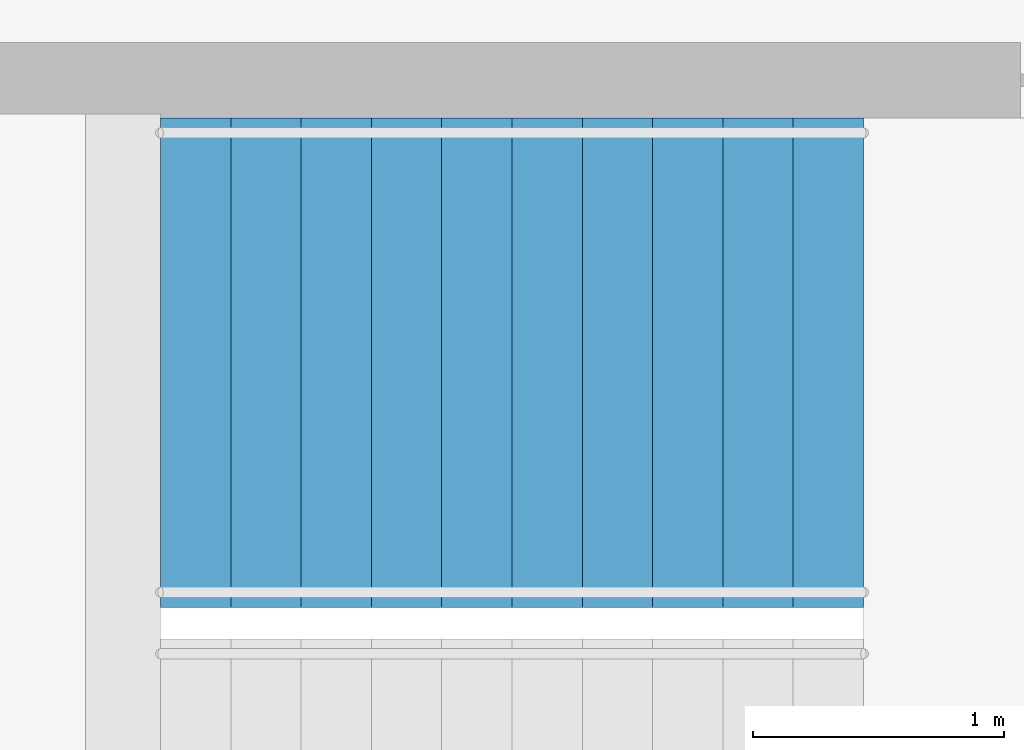
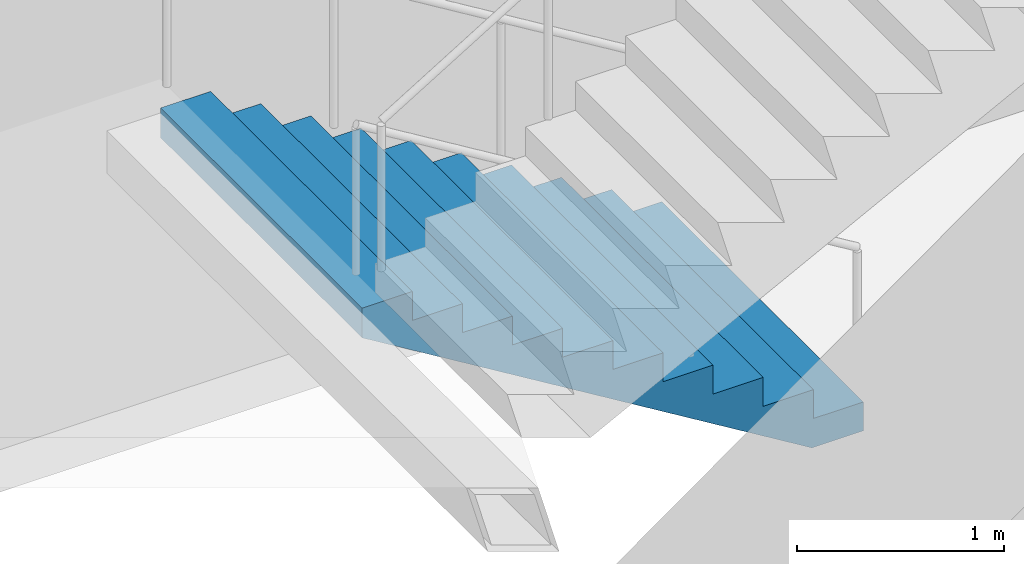
# One storey, part 21 of 22: 1 stair flight, 1 element without a shape of its own.
"""IFC4 building model written with IfcOpenShell, lengths in metres."""

from ifc_helpers import new_model, si_unit, direction, frame, origin, place, context, subcontext, project, spatial, triangles, material, type_object, element, aggregate, save


model = new_model("IFC4")

# Units and contexts
model_context = context("Model", 3, precision=1e-05, world=origin(), true_north=direction((0.0, 1.0)))
body_context = subcontext(model_context, "Body", "Model", "MODEL_VIEW")
ifc_project = project(units=[si_unit("LENGTHUNIT", "METRE"), si_unit("AREAUNIT", "SQUARE_METRE"), si_unit("VOLUMEUNIT", "CUBIC_METRE"), si_unit("PLANEANGLEUNIT", "RADIAN"), si_unit("MASSUNIT", "GRAM", prefix="KILO")], contexts=[model_context])

# Site, building, storey
site_placement = place(None, origin())
site = spatial("IfcSite", under=ifc_project, at=site_placement, CompositionType="ELEMENT")
building_placement = place(site_placement, origin())
building = spatial("IfcBuilding", under=site, at=building_placement, Name="Orbita Commons", CompositionType="ELEMENT")
storey_placement = place(building_placement, frame((0.0, 0.0, 156.10009765625)))
storey = spatial("IfcBuildingStorey", under=building, at=storey_placement, Name="L38", CompositionType="ELEMENT", Elevation=156.10009765625)

# Stair, stair flight
ifc_material_1 = material(Name="Precast concrete C40/50", Category="concrete")
stair_type = type_object("IfcStairType", Name="Exit stair S2 2 flights 11 risers 170", PredefinedType="HALF_TURN_STAIR", material=ifc_material_1)
stair_placement = place(storey_placement, origin())
stair = element("IfcStair", 1, at=stair_placement, inside=storey, type_object=stair_type, Name="Exit stair S2 L38", PredefinedType="HALF_TURN_STAIR")
ifc_material_2 = material(Name="Precast concrete C40/50", Category="concrete")
stair_flight_type = type_object("IfcStairFlightType", Name="Stair flight 11 risers 170 x 280", PredefinedType="STRAIGHT", material=ifc_material_2)
stair_flight_placement = place(storey_placement, frame((63.550048828125, 29.27490234375, 0.0), z_axis=(0.0, 0.0, 1.0), x_axis=(-1.0, 0.0, 0.0)))
stair_flight = element("IfcStairFlight", 2, at=stair_flight_placement, type_object=stair_flight_type, Name="S2 flight 1", NumberOfRisers=11, NumberOfTreads=10, PredefinedType="STRAIGHT", RiserHeight=0.170454545, TreadLength=0.28, context=body_context, shape_type="Tessellation", body=[
    triangles([(0.0, 0.974976, 0.0), (0.0, 0.974976, 0.021307), (0.0, 0.81248, 0.021307), (0.0, 0.81248, 0.0), (0.0, 0.649984, 0.021307), (0.0, 0.649984, 0.0), (0.0, 0.487488, 0.021307), (0.0, 0.487488, 0.0), (0.0, 0.324992, 0.021307), (0.0, 0.324992, 0.0), (0.0, 0.162496, 0.021307), (0.0, 0.162496, 0.0), (0.0, 0.0, 0.021307), (0.0, 0.0, 0.0), (0.0, -0.162496, 0.021307), (0.0, -0.162496, 0.0), (0.0, -0.324992, 0.021307), (0.0, -0.324992, 0.0), (0.0, -0.487488, 0.021307), (0.0, -0.487488, 0.0), (0.0, -0.649984, 0.021307), (0.0, -0.649984, 0.0), (0.0, -0.81248, 0.021307), (0.0, -0.81248, 0.0), (0.0, -0.974976, 0.021307), (0.0, -0.974976, 0.0), (0.0, 0.974976, 0.042614), (0.0, 0.81248, 0.042614), (0.0, 0.649984, 0.042614), (0.0, 0.487488, 0.042614), (0.0, 0.324992, 0.042614), (0.0, 0.162496, 0.042614), (0.0, 0.0, 0.042614), (0.0, -0.162496, 0.042614), (0.0, -0.324992, 0.042614), (0.0, -0.487488, 0.042614), (0.0, -0.649984, 0.042614), (0.0, -0.81248, 0.042614), (0.0, -0.974976, 0.042614), (0.0, 0.974976, 0.06392), (0.0, 0.81248, 0.06392), (0.0, 0.649984, 0.06392), (0.0, 0.487488, 0.06392), (0.0, 0.324992, 0.06392), (0.0, 0.162496, 0.06392), (0.0, 0.0, 0.06392), (0.0, -0.162496, 0.06392), (0.0, -0.324992, 0.06392), (0.0, -0.487488, 0.06392), (0.0, -0.649984, 0.06392), (0.0, -0.81248, 0.06392), (0.0, -0.974976, 0.06392), (0.0, 0.974976, 0.085227), (0.0, 0.81248, 0.085227), (0.0, 0.649984, 0.085227), (0.0, 0.487488, 0.085227), (0.0, 0.324992, 0.085227), (0.0, 0.162496, 0.085227), (0.0, 0.0, 0.085227), (0.0, -0.162496, 0.085227), (0.0, -0.324992, 0.085227), (0.0, -0.487488, 0.085227), (0.0, -0.649984, 0.085227), (0.0, -0.81248, 0.085227), (0.0, -0.974976, 0.085227), (0.0, 0.974976, 0.106534), (0.0, 0.81248, 0.106534), (0.0, 0.649984, 0.106534), (0.0, 0.487488, 0.106534), (0.0, 0.324992, 0.106534), (0.0, 0.162496, 0.106534), (0.0, 0.0, 0.106534), (0.0, -0.162496, 0.106534), (0.0, -0.324992, 0.106534), (0.0, -0.487488, 0.106534), (0.0, -0.649984, 0.106534), (0.0, -0.81248, 0.106534), (0.0, -0.974976, 0.106534), (0.0, 0.974976, 0.127841), (0.0, 0.81248, 0.127841), (0.0, 0.649984, 0.127841), (0.0, 0.487488, 0.127841), (0.0, 0.324992, 0.127841), (0.0, 0.162496, 0.127841), (0.0, 0.0, 0.127841), (0.0, -0.162496, 0.127841), (0.0, -0.324992, 0.127841), (0.0, -0.487488, 0.127841), (0.0, -0.649984, 0.127841), (0.0, -0.81248, 0.127841), (0.0, -0.974976, 0.127841), (0.0, 0.974976, 0.149148), (0.0, 0.81248, 0.149148), (0.0, 0.649984, 0.149148), (0.0, 0.487488, 0.149148), (0.0, 0.324992, 0.149148), (0.0, 0.162496, 0.149148), (0.0, 0.0, 0.149148), (0.0, -0.162496, 0.149148), (0.0, -0.324992, 0.149148), (0.0, -0.487488, 0.149148), (0.0, -0.649984, 0.149148), (0.0, -0.81248, 0.149148), (0.0, -0.974976, 0.149148), (0.0, 0.974976, 0.170455), (0.0, 0.81248, 0.170455), (0.0, 0.649984, 0.170455), (0.0, 0.487488, 0.170455), (0.0, 0.324992, 0.170455), (0.0, 0.162496, 0.170455), (0.0, 0.0, 0.170455), (0.0, -0.162496, 0.170455), (0.0, -0.324992, 0.170455), (0.0, -0.487488, 0.170455), (0.0, -0.649984, 0.170455), (0.0, -0.81248, 0.170455), (0.0, -0.974976, 0.170455), (0.28, 0.974976, 0.170455), (0.28, 0.81248, 0.170455), (0.28, 0.649984, 0.170455), (0.28, 0.487488, 0.170455), (0.28, 0.324992, 0.170455), (0.28, 0.162496, 0.170455), (0.28, 0.0, 0.170455), (0.28, -0.162496, 0.170455), (0.28, -0.324992, 0.170455), (0.28, -0.487488, 0.170455), (0.28, -0.649984, 0.170455), (0.28, -0.81248, 0.170455), (0.28, -0.974976, 0.170455), (0.28, 0.974976, 0.340909), (0.28, 0.81248, 0.340909), (0.28, 0.649984, 0.340909), (0.28, 0.487488, 0.340909), (0.28, 0.324992, 0.340909), (0.28, 0.162496, 0.340909), (0.28, 0.0, 0.340909), (0.28, -0.162496, 0.340909), (0.28, -0.324992, 0.340909), (0.28, -0.487488, 0.340909), (0.28, -0.649984, 0.340909), (0.28, -0.81248, 0.340909), (0.28, -0.974976, 0.340909), (0.56, 0.974976, 0.340909), (0.56, 0.81248, 0.340909), (0.56, 0.649984, 0.340909), (0.56, 0.487488, 0.340909), (0.56, 0.324992, 0.340909), (0.56, 0.162496, 0.340909), (0.56, 0.0, 0.340909), (0.56, -0.162496, 0.340909), (0.56, -0.324992, 0.340909), (0.56, -0.487488, 0.340909), (0.56, -0.649984, 0.340909), (0.56, -0.81248, 0.340909), (0.56, -0.974976, 0.340909), (0.56, 0.974976, 0.511364), (0.56, 0.81248, 0.511364), (0.56, 0.649984, 0.511364), (0.56, 0.487488, 0.511364), (0.56, 0.324992, 0.511364), (0.56, 0.162496, 0.511364), (0.56, 0.0, 0.511364), (0.56, -0.162496, 0.511364), (0.56, -0.324992, 0.511364), (0.56, -0.487488, 0.511364), (0.56, -0.649984, 0.511364), (0.56, -0.81248, 0.511364), (0.56, -0.974976, 0.511364), (0.84, 0.974976, 0.511364), (0.84, 0.81248, 0.511364), (0.84, 0.649984, 0.511364), (0.84, 0.487488, 0.511364), (0.84, 0.324992, 0.511364), (0.84, 0.162496, 0.511364), (0.84, 0.0, 0.511364), (0.84, -0.162496, 0.511364), (0.84, -0.324992, 0.511364), (0.84, -0.487488, 0.511364), (0.84, -0.649984, 0.511364), (0.84, -0.81248, 0.511364), (0.84, -0.974976, 0.511364), (0.84, 0.974976, 0.681818), (0.84, 0.81248, 0.681818), (0.84, 0.649984, 0.681818), (0.84, 0.487488, 0.681818), (0.84, 0.324992, 0.681818), (0.84, 0.162496, 0.681818), (0.84, 0.0, 0.681818), (0.84, -0.162496, 0.681818), (0.84, -0.324992, 0.681818), (0.84, -0.487488, 0.681818), (0.84, -0.649984, 0.681818), (0.84, -0.81248, 0.681818), (0.84, -0.974976, 0.681818), (1.12, 0.974976, 0.681818), (1.12, 0.81248, 0.681818), (1.12, 0.649984, 0.681818), (1.12, 0.487488, 0.681818), (1.12, 0.324992, 0.681818), (1.12, 0.162496, 0.681818), (1.12, 0.0, 0.681818), (1.12, -0.162496, 0.681818), (1.12, -0.324992, 0.681818), (1.12, -0.487488, 0.681818), (1.12, -0.649984, 0.681818), (1.12, -0.81248, 0.681818), (1.12, -0.974976, 0.681818), (1.12, 0.974976, 0.852273), (1.12, 0.81248, 0.852273), (1.12, 0.649984, 0.852273), (1.12, 0.487488, 0.852273), (1.12, 0.324992, 0.852273), (1.12, 0.162496, 0.852273), (1.12, 0.0, 0.852273), (1.12, -0.162496, 0.852273), (1.12, -0.324992, 0.852273), (1.12, -0.487488, 0.852273), (1.12, -0.649984, 0.852273), (1.12, -0.81248, 0.852273), (1.12, -0.974976, 0.852273), (1.4, 0.974976, 0.852273), (1.4, 0.81248, 0.852273), (1.4, 0.649984, 0.852273), (1.4, 0.487488, 0.852273), (1.4, 0.324992, 0.852273), (1.4, 0.162496, 0.852273), (1.4, 0.0, 0.852273), (1.4, -0.162496, 0.852273), (1.4, -0.324992, 0.852273), (1.4, -0.487488, 0.852273), (1.4, -0.649984, 0.852273), (1.4, -0.81248, 0.852273), (1.4, -0.974976, 0.852273), (1.4, 0.974976, 1.022727), (1.4, 0.81248, 1.022727), (1.4, 0.649984, 1.022727), (1.4, 0.487488, 1.022727), (1.4, 0.324992, 1.022727), (1.4, 0.162496, 1.022727), (1.4, 0.0, 1.022727), (1.4, -0.162496, 1.022727), (1.4, -0.324992, 1.022727), (1.4, -0.487488, 1.022727), (1.4, -0.649984, 1.022727), (1.4, -0.81248, 1.022727), (1.4, -0.974976, 1.022727), (1.68, 0.974976, 1.022727), (1.68, 0.81248, 1.022727), (1.68, 0.649984, 1.022727), (1.68, 0.487488, 1.022727), (1.68, 0.324992, 1.022727), (1.68, 0.162496, 1.022727), (1.68, 0.0, 1.022727), (1.68, -0.162496, 1.022727), (1.68, -0.324992, 1.022727), (1.68, -0.487488, 1.022727), (1.68, -0.649984, 1.022727), (1.68, -0.81248, 1.022727), (1.68, -0.974976, 1.022727), (1.68, 0.974976, 1.193182), (1.68, 0.81248, 1.193182), (1.68, 0.649984, 1.193182), (1.68, 0.487488, 1.193182), (1.68, 0.324992, 1.193182), (1.68, 0.162496, 1.193182), (1.68, 0.0, 1.193182), (1.68, -0.162496, 1.193182), (1.68, -0.324992, 1.193182), (1.68, -0.487488, 1.193182), (1.68, -0.649984, 1.193182), (1.68, -0.81248, 1.193182), (1.68, -0.974976, 1.193182), (1.96, 0.974976, 1.193182), (1.96, 0.81248, 1.193182), (1.96, 0.649984, 1.193182), (1.96, 0.487488, 1.193182), (1.96, 0.324992, 1.193182), (1.96, 0.162496, 1.193182), (1.96, 0.0, 1.193182), (1.96, -0.162496, 1.193182), (1.96, -0.324992, 1.193182), (1.96, -0.487488, 1.193182), (1.96, -0.649984, 1.193182), (1.96, -0.81248, 1.193182), (1.96, -0.974976, 1.193182), (1.96, 0.974976, 1.363636), (1.96, 0.81248, 1.363636), (1.96, 0.649984, 1.363636), (1.96, 0.487488, 1.363636), (1.96, 0.324992, 1.363636), (1.96, 0.162496, 1.363636), (1.96, 0.0, 1.363636), (1.96, -0.162496, 1.363636), (1.96, -0.324992, 1.363636), (1.96, -0.487488, 1.363636), (1.96, -0.649984, 1.363636), (1.96, -0.81248, 1.363636), (1.96, -0.974976, 1.363636), (2.24, 0.974976, 1.363636), (2.24, 0.81248, 1.363636), (2.24, 0.649984, 1.363636), (2.24, 0.487488, 1.363636), (2.24, 0.324992, 1.363636), (2.24, 0.162496, 1.363636), (2.24, 0.0, 1.363636), (2.24, -0.162496, 1.363636), (2.24, -0.324992, 1.363636), (2.24, -0.487488, 1.363636), (2.24, -0.649984, 1.363636), (2.24, -0.81248, 1.363636), (2.24, -0.974976, 1.363636), (2.24, 0.974976, 1.534091), (2.24, 0.81248, 1.534091), (2.24, 0.649984, 1.534091), (2.24, 0.487488, 1.534091), (2.24, 0.324992, 1.534091), (2.24, 0.162496, 1.534091), (2.24, 0.0, 1.534091), (2.24, -0.162496, 1.534091), (2.24, -0.324992, 1.534091), (2.24, -0.487488, 1.534091), (2.24, -0.649984, 1.534091), (2.24, -0.81248, 1.534091), (2.24, -0.974976, 1.534091), (2.52, 0.974976, 1.534091), (2.52, 0.81248, 1.534091), (2.52, 0.649984, 1.534091), (2.52, 0.487488, 1.534091), (2.52, 0.324992, 1.534091), (2.52, 0.162496, 1.534091), (2.52, 0.0, 1.534091), (2.52, -0.162496, 1.534091), (2.52, -0.324992, 1.534091), (2.52, -0.487488, 1.534091), (2.52, -0.649984, 1.534091), (2.52, -0.81248, 1.534091), (2.52, -0.974976, 1.534091), (2.52, 0.974976, 1.704545), (2.52, 0.81248, 1.704545), (2.52, 0.649984, 1.704545), (2.52, 0.487488, 1.704545), (2.52, 0.324992, 1.704545), (2.52, 0.162496, 1.704545), (2.52, 0.0, 1.704545), (2.52, -0.162496, 1.704545), (2.52, -0.324992, 1.704545), (2.52, -0.487488, 1.704545), (2.52, -0.649984, 1.704545), (2.52, -0.81248, 1.704545), (2.52, -0.974976, 1.704545), (2.8, 0.974976, 1.704545), (2.8, 0.81248, 1.704545), (2.8, 0.649984, 1.704545), (2.8, 0.487488, 1.704545), (2.8, 0.324992, 1.704545), (2.8, 0.162496, 1.704545), (2.8, 0.0, 1.704545), (2.8, -0.162496, 1.704545), (2.8, -0.324992, 1.704545), (2.8, -0.487488, 1.704545), (2.8, -0.649984, 1.704545), (2.8, -0.81248, 1.704545), (2.8, -0.974976, 1.704545), (2.8, 0.974976, 1.682609), (2.8, 0.81248, 1.682609), (2.8, 0.649984, 1.682609), (2.8, 0.487488, 1.682609), (2.8, 0.324992, 1.682609), (2.8, 0.162496, 1.682609), (2.8, 0.0, 1.682609), (2.8, -0.162496, 1.682609), (2.8, -0.324992, 1.682609), (2.8, -0.487488, 1.682609), (2.8, -0.649984, 1.682609), (2.8, -0.81248, 1.682609), (2.8, -0.974976, 1.682609), (2.8, 0.974976, 1.660672), (2.8, 0.81248, 1.660672), (2.8, 0.649984, 1.660672), (2.8, 0.487488, 1.660672), (2.8, 0.324992, 1.660672), (2.8, 0.162496, 1.660672), (2.8, 0.0, 1.660672), (2.8, -0.162496, 1.660672), (2.8, -0.324992, 1.660672), (2.8, -0.487488, 1.660672), (2.8, -0.649984, 1.660672), (2.8, -0.81248, 1.660672), (2.8, -0.974976, 1.660672), (2.8, 0.974976, 1.638735), (2.8, 0.81248, 1.638735), (2.8, 0.649984, 1.638735), (2.8, 0.487488, 1.638735), (2.8, 0.324992, 1.638735), (2.8, 0.162496, 1.638735), (2.8, 0.0, 1.638735), (2.8, -0.162496, 1.638735), (2.8, -0.324992, 1.638735), (2.8, -0.487488, 1.638735), (2.8, -0.649984, 1.638735), (2.8, -0.81248, 1.638735), (2.8, -0.974976, 1.638735), (2.8, 0.974976, 1.616798), (2.8, 0.81248, 1.616798), (2.8, 0.649984, 1.616798), (2.8, 0.487488, 1.616798), (2.8, 0.324992, 1.616798), (2.8, 0.162496, 1.616798), (2.8, 0.0, 1.616798), (2.8, -0.162496, 1.616798), (2.8, -0.324992, 1.616798), (2.8, -0.487488, 1.616798), (2.8, -0.649984, 1.616798), (2.8, -0.81248, 1.616798), (2.8, -0.974976, 1.616798), (2.8, 0.974976, 1.594861), (2.8, 0.81248, 1.594861), (2.8, 0.649984, 1.594861), (2.8, 0.487488, 1.594861), (2.8, 0.324992, 1.594861), (2.8, 0.162496, 1.594861), (2.8, 0.0, 1.594861), (2.8, -0.162496, 1.594861), (2.8, -0.324992, 1.594861), (2.8, -0.487488, 1.594861), (2.8, -0.649984, 1.594861), (2.8, -0.81248, 1.594861), (2.8, -0.974976, 1.594861), (2.8, 0.974976, 1.572925), (2.8, 0.81248, 1.572925), (2.8, 0.649984, 1.572925), (2.8, 0.487488, 1.572925), (2.8, 0.324992, 1.572925), (2.8, 0.162496, 1.572925), (2.8, 0.0, 1.572925), (2.8, -0.162496, 1.572925), (2.8, -0.324992, 1.572925), (2.8, -0.487488, 1.572925), (2.8, -0.649984, 1.572925), (2.8, -0.81248, 1.572925), (2.8, -0.974976, 1.572925), (2.8, 0.974976, 1.550988), (2.8, 0.81248, 1.550988), (2.8, 0.649984, 1.550988), (2.8, 0.487488, 1.550988), (2.8, 0.324992, 1.550988), (2.8, 0.162496, 1.550988), (2.8, 0.0, 1.550988), (2.8, -0.162496, 1.550988), (2.8, -0.324992, 1.550988), (2.8, -0.487488, 1.550988), (2.8, -0.649984, 1.550988), (2.8, -0.81248, 1.550988), (2.8, -0.974976, 1.550988), (2.8, 0.974976, 1.529051), (2.8, 0.81248, 1.529051), (2.8, 0.649984, 1.529051), (2.8, 0.487488, 1.529051), (2.8, 0.324992, 1.529051), (2.8, 0.162496, 1.529051), (2.8, 0.0, 1.529051), (2.8, -0.162496, 1.529051), (2.8, -0.324992, 1.529051), (2.8, -0.487488, 1.529051), (2.8, -0.649984, 1.529051), (2.8, -0.81248, 1.529051), (2.8, -0.974976, 1.529051), (0.288279, 0.974976, 0.0), (0.288279, 0.81248, 0.0), (0.288279, 0.649984, 0.0), (0.288279, 0.487488, 0.0), (0.288279, 0.324992, 0.0), (0.288279, 0.162496, 0.0), (0.288279, 0.0, 0.0), (0.288279, -0.162496, 0.0), (0.288279, -0.324992, 0.0), (0.288279, -0.487488, 0.0), (0.288279, -0.649984, 0.0), (0.288279, -0.81248, 0.0), (0.288279, -0.974976, 0.0)], [[3, 2, 1], [4, 3, 1], [5, 3, 4], [6, 5, 4], [7, 5, 6], [8, 7, 6], [9, 7, 8], [10, 9, 8], [11, 9, 10], [12, 11, 10], [13, 11, 12], [14, 13, 12], [15, 13, 14], [16, 15, 14], [17, 15, 16], [18, 17, 16], [19, 17, 18], [20, 19, 18], [21, 19, 20], [22, 21, 20], [23, 21, 22], [24, 23, 22], [25, 23, 24], [26, 25, 24], [28, 27, 2], [3, 28, 2], [29, 28, 3], [5, 29, 3], [30, 29, 5], [7, 30, 5], [31, 30, 7], [9, 31, 7], [32, 31, 9], [11, 32, 9], [33, 32, 11], [13, 33, 11], [34, 33, 13], [15, 34, 13], [35, 34, 15], [17, 35, 15], [36, 35, 17], [19, 36, 17], [37, 36, 19], [21, 37, 19], [38, 37, 21], [23, 38, 21], [39, 38, 23], [25, 39, 23], [41, 40, 27], [28, 41, 27], [42, 41, 28], [29, 42, 28], [43, 42, 29], [30, 43, 29], [44, 43, 30], [31, 44, 30], [45, 44, 31], [32, 45, 31], [46, 45, 32], [33, 46, 32], [47, 46, 33], [34, 47, 33], [48, 47, 34], [35, 48, 34], [49, 48, 35], [36, 49, 35], [50, 49, 36], [37, 50, 36], [51, 50, 37], [38, 51, 37], [52, 51, 38], [39, 52, 38], [54, 53, 40], [41, 54, 40], [55, 54, 41], [42, 55, 41], [56, 55, 42], [43, 56, 42], [57, 56, 43], [44, 57, 43], [58, 57, 44], [45, 58, 44], [59, 58, 45], [46, 59, 45], [60, 59, 46], [47, 60, 46], [61, 60, 47], [48, 61, 47], [62, 61, 48], [49, 62, 48], [63, 62, 49], [50, 63, 49], [64, 63, 50], [51, 64, 50], [65, 64, 51], [52, 65, 51], [67, 66, 53], [54, 67, 53], [68, 67, 54], [55, 68, 54], [69, 68, 55], [56, 69, 55], [70, 69, 56], [57, 70, 56], [71, 70, 57], [58, 71, 57], [72, 71, 58], [59, 72, 58], [73, 72, 59], [60, 73, 59], [74, 73, 60], [61, 74, 60], [75, 74, 61], [62, 75, 61], [76, 75, 62], [63, 76, 62], [77, 76, 63], [64, 77, 63], [78, 77, 64], [65, 78, 64], [80, 79, 66], [67, 80, 66], [81, 80, 67], [68, 81, 67], [82, 81, 68], [69, 82, 68], [83, 82, 69], [70, 83, 69], [84, 83, 70], [71, 84, 70], [85, 84, 71], [72, 85, 71], [86, 85, 72], [73, 86, 72], [87, 86, 73], [74, 87, 73], [88, 87, 74], [75, 88, 74], [89, 88, 75], [76, 89, 75], [90, 89, 76], [77, 90, 76], [91, 90, 77], [78, 91, 77], [93, 92, 79], [80, 93, 79], [94, 93, 80], [81, 94, 80], [95, 94, 81], [82, 95, 81], [96, 95, 82], [83, 96, 82], [97, 96, 83], [84, 97, 83], [98, 97, 84], [85, 98, 84], [99, 98, 85], [86, 99, 85], [100, 99, 86], [87, 100, 86], [101, 100, 87], [88, 101, 87], [102, 101, 88], [89, 102, 88], [103, 102, 89], [90, 103, 89], [104, 103, 90], [91, 104, 90], [106, 105, 92], [93, 106, 92], [107, 106, 93], [94, 107, 93], [108, 107, 94], [95, 108, 94], [109, 108, 95], [96, 109, 95], [110, 109, 96], [97, 110, 96], [111, 110, 97], [98, 111, 97], [112, 111, 98], [99, 112, 98], [113, 112, 99], [100, 113, 99], [114, 113, 100], [101, 114, 100], [115, 114, 101], [102, 115, 101], [116, 115, 102], [103, 116, 102], [117, 116, 103], [104, 117, 103], [119, 118, 105], [106, 119, 105], [120, 119, 106], [107, 120, 106], [121, 120, 107], [108, 121, 107], [122, 121, 108], [109, 122, 108], [123, 122, 109], [110, 123, 109], [124, 123, 110], [111, 124, 110], [125, 124, 111], [112, 125, 111], [126, 125, 112], [113, 126, 112], [127, 126, 113], [114, 127, 113], [128, 127, 114], [115, 128, 114], [129, 128, 115], [116, 129, 115], [130, 129, 116], [117, 130, 116], [132, 131, 118], [119, 132, 118], [133, 132, 119], [120, 133, 119], [134, 133, 120], [121, 134, 120], [135, 134, 121], [122, 135, 121], [136, 135, 122], [123, 136, 122], [137, 136, 123], [124, 137, 123], [138, 137, 124], [125, 138, 124], [139, 138, 125], [126, 139, 125], [140, 139, 126], [127, 140, 126], [141, 140, 127], [128, 141, 127], [142, 141, 128], [129, 142, 128], [143, 142, 129], [130, 143, 129], [145, 144, 131], [132, 145, 131], [146, 145, 132], [133, 146, 132], [147, 146, 133], [134, 147, 133], [148, 147, 134], [135, 148, 134], [149, 148, 135], [136, 149, 135], [150, 149, 136], [137, 150, 136], [151, 150, 137], [138, 151, 137], [152, 151, 138], [139, 152, 138], [153, 152, 139], [140, 153, 139], [154, 153, 140], [141, 154, 140], [155, 154, 141], [142, 155, 141], [156, 155, 142], [143, 156, 142], [158, 157, 144], [145, 158, 144], [159, 158, 145], [146, 159, 145], [160, 159, 146], [147, 160, 146], [161, 160, 147], [148, 161, 147], [162, 161, 148], [149, 162, 148], [163, 162, 149], [150, 163, 149], [164, 163, 150], [151, 164, 150], [165, 164, 151], [152, 165, 151], [166, 165, 152], [153, 166, 152], [167, 166, 153], [154, 167, 153], [168, 167, 154], [155, 168, 154], [169, 168, 155], [156, 169, 155], [171, 170, 157], [158, 171, 157], [172, 171, 158], [159, 172, 158], [173, 172, 159], [160, 173, 159], [174, 173, 160], [161, 174, 160], [175, 174, 161], [162, 175, 161], [176, 175, 162], [163, 176, 162], [177, 176, 163], [164, 177, 163], [178, 177, 164], [165, 178, 164], [179, 178, 165], [166, 179, 165], [180, 179, 166], [167, 180, 166], [181, 180, 167], [168, 181, 167], [182, 181, 168], [169, 182, 168], [184, 183, 170], [171, 184, 170], [185, 184, 171], [172, 185, 171], [186, 185, 172], [173, 186, 172], [187, 186, 173], [174, 187, 173], [188, 187, 174], [175, 188, 174], [189, 188, 175], [176, 189, 175], [190, 189, 176], [177, 190, 176], [191, 190, 177], [178, 191, 177], [192, 191, 178], [179, 192, 178], [193, 192, 179], [180, 193, 179], [194, 193, 180], [181, 194, 180], [195, 194, 181], [182, 195, 181], [197, 196, 183], [184, 197, 183], [198, 197, 184], [185, 198, 184], [199, 198, 185], [186, 199, 185], [200, 199, 186], [187, 200, 186], [201, 200, 187], [188, 201, 187], [202, 201, 188], [189, 202, 188], [203, 202, 189], [190, 203, 189], [204, 203, 190], [191, 204, 190], [205, 204, 191], [192, 205, 191], [206, 205, 192], [193, 206, 192], [207, 206, 193], [194, 207, 193], [208, 207, 194], [195, 208, 194], [210, 209, 196], [197, 210, 196], [211, 210, 197], [198, 211, 197], [212, 211, 198], [199, 212, 198], [213, 212, 199], [200, 213, 199], [214, 213, 200], [201, 214, 200], [215, 214, 201], [202, 215, 201], [216, 215, 202], [203, 216, 202], [217, 216, 203], [204, 217, 203], [218, 217, 204], [205, 218, 204], [219, 218, 205], [206, 219, 205], [220, 219, 206], [207, 220, 206], [221, 220, 207], [208, 221, 207], [223, 222, 209], [210, 223, 209], [224, 223, 210], [211, 224, 210], [225, 224, 211], [212, 225, 211], [226, 225, 212], [213, 226, 212], [227, 226, 213], [214, 227, 213], [228, 227, 214], [215, 228, 214], [229, 228, 215], [216, 229, 215], [230, 229, 216], [217, 230, 216], [231, 230, 217], [218, 231, 217], [232, 231, 218], [219, 232, 218], [233, 232, 219], [220, 233, 219], [234, 233, 220], [221, 234, 220], [236, 235, 222], [223, 236, 222], [237, 236, 223], [224, 237, 223], [238, 237, 224], [225, 238, 224], [239, 238, 225], [226, 239, 225], [240, 239, 226], [227, 240, 226], [241, 240, 227], [228, 241, 227], [242, 241, 228], [229, 242, 228], [243, 242, 229], [230, 243, 229], [244, 243, 230], [231, 244, 230], [245, 244, 231], [232, 245, 231], [246, 245, 232], [233, 246, 232], [247, 246, 233], [234, 247, 233], [249, 248, 235], [236, 249, 235], [250, 249, 236], [237, 250, 236], [251, 250, 237], [238, 251, 237], [252, 251, 238], [239, 252, 238], [253, 252, 239], [240, 253, 239], [254, 253, 240], [241, 254, 240], [255, 254, 241], [242, 255, 241], [256, 255, 242], [243, 256, 242], [257, 256, 243], [244, 257, 243], [258, 257, 244], [245, 258, 244], [259, 258, 245], [246, 259, 245], [260, 259, 246], [247, 260, 246], [262, 261, 248], [249, 262, 248], [263, 262, 249], [250, 263, 249], [264, 263, 250], [251, 264, 250], [265, 264, 251], [252, 265, 251], [266, 265, 252], [253, 266, 252], [267, 266, 253], [254, 267, 253], [268, 267, 254], [255, 268, 254], [269, 268, 255], [256, 269, 255], [270, 269, 256], [257, 270, 256], [271, 270, 257], [258, 271, 257], [272, 271, 258], [259, 272, 258], [273, 272, 259], [260, 273, 259], [275, 274, 261], [262, 275, 261], [276, 275, 262], [263, 276, 262], [277, 276, 263], [264, 277, 263], [278, 277, 264], [265, 278, 264], [279, 278, 265], [266, 279, 265], [280, 279, 266], [267, 280, 266], [281, 280, 267], [268, 281, 267], [282, 281, 268], [269, 282, 268], [283, 282, 269], [270, 283, 269], [284, 283, 270], [271, 284, 270], [285, 284, 271], [272, 285, 271], [286, 285, 272], [273, 286, 272], [288, 287, 274], [275, 288, 274], [289, 288, 275], [276, 289, 275], [290, 289, 276], [277, 290, 276], [291, 290, 277], [278, 291, 277], [292, 291, 278], [279, 292, 278], [293, 292, 279], [280, 293, 279], [294, 293, 280], [281, 294, 280], [295, 294, 281], [282, 295, 281], [296, 295, 282], [283, 296, 282], [297, 296, 283], [284, 297, 283], [298, 297, 284], [285, 298, 284], [299, 298, 285], [286, 299, 285], [301, 300, 287], [288, 301, 287], [302, 301, 288], [289, 302, 288], [303, 302, 289], [290, 303, 289], [304, 303, 290], [291, 304, 290], [305, 304, 291], [292, 305, 291], [306, 305, 292], [293, 306, 292], [307, 306, 293], [294, 307, 293], [308, 307, 294], [295, 308, 294], [309, 308, 295], [296, 309, 295], [310, 309, 296], [297, 310, 296], [311, 310, 297], [298, 311, 297], [312, 311, 298], [299, 312, 298], [314, 313, 300], [301, 314, 300], [315, 314, 301], [302, 315, 301], [316, 315, 302], [303, 316, 302], [317, 316, 303], [304, 317, 303], [318, 317, 304], [305, 318, 304], [319, 318, 305], [306, 319, 305], [320, 319, 306], [307, 320, 306], [321, 320, 307], [308, 321, 307], [322, 321, 308], [309, 322, 308], [323, 322, 309], [310, 323, 309], [324, 323, 310], [311, 324, 310], [325, 324, 311], [312, 325, 311], [327, 326, 313], [314, 327, 313], [328, 327, 314], [315, 328, 314], [329, 328, 315], [316, 329, 315], [330, 329, 316], [317, 330, 316], [331, 330, 317], [318, 331, 317], [332, 331, 318], [319, 332, 318], [333, 332, 319], [320, 333, 319], [334, 333, 320], [321, 334, 320], [335, 334, 321], [322, 335, 321], [336, 335, 322], [323, 336, 322], [337, 336, 323], [324, 337, 323], [338, 337, 324], [325, 338, 324], [340, 339, 326], [327, 340, 326], [341, 340, 327], [328, 341, 327], [342, 341, 328], [329, 342, 328], [343, 342, 329], [330, 343, 329], [344, 343, 330], [331, 344, 330], [345, 344, 331], [332, 345, 331], [346, 345, 332], [333, 346, 332], [347, 346, 333], [334, 347, 333], [348, 347, 334], [335, 348, 334], [349, 348, 335], [336, 349, 335], [350, 349, 336], [337, 350, 336], [351, 350, 337], [338, 351, 337], [353, 352, 339], [340, 353, 339], [354, 353, 340], [341, 354, 340], [355, 354, 341], [342, 355, 341], [356, 355, 342], [343, 356, 342], [357, 356, 343], [344, 357, 343], [358, 357, 344], [345, 358, 344], [359, 358, 345], [346, 359, 345], [360, 359, 346], [347, 360, 346], [361, 360, 347], [348, 361, 347], [362, 361, 348], [349, 362, 348], [363, 362, 349], [350, 363, 349], [364, 363, 350], [351, 364, 350], [366, 365, 352], [353, 366, 352], [367, 366, 353], [354, 367, 353], [368, 367, 354], [355, 368, 354], [369, 368, 355], [356, 369, 355], [370, 369, 356], [357, 370, 356], [371, 370, 357], [358, 371, 357], [372, 371, 358], [359, 372, 358], [373, 372, 359], [360, 373, 359], [374, 373, 360], [361, 374, 360], [375, 374, 361], [362, 375, 361], [376, 375, 362], [363, 376, 362], [377, 376, 363], [364, 377, 363], [379, 378, 365], [366, 379, 365], [380, 379, 366], [367, 380, 366], [381, 380, 367], [368, 381, 367], [382, 381, 368], [369, 382, 368], [383, 382, 369], [370, 383, 369], [384, 383, 370], [371, 384, 370], [385, 384, 371], [372, 385, 371], [386, 385, 372], [373, 386, 372], [387, 386, 373], [374, 387, 373], [388, 387, 374], [375, 388, 374], [389, 388, 375], [376, 389, 375], [390, 389, 376], [377, 390, 376], [392, 391, 378], [379, 392, 378], [393, 392, 379], [380, 393, 379], [394, 393, 380], [381, 394, 380], [395, 394, 381], [382, 395, 381], [396, 395, 382], [383, 396, 382], [397, 396, 383], [384, 397, 383], [398, 397, 384], [385, 398, 384], [399, 398, 385], [386, 399, 385], [400, 399, 386], [387, 400, 386], [401, 400, 387], [388, 401, 387], [402, 401, 388], [389, 402, 388], [403, 402, 389], [390, 403, 389], [405, 404, 391], [392, 405, 391], [406, 405, 392], [393, 406, 392], [407, 406, 393], [394, 407, 393], [408, 407, 394], [395, 408, 394], [409, 408, 395], [396, 409, 395], [410, 409, 396], [397, 410, 396], [411, 410, 397], [398, 411, 397], [412, 411, 398], [399, 412, 398], [413, 412, 399], [400, 413, 399], [414, 413, 400], [401, 414, 400], [415, 414, 401], [402, 415, 401], [416, 415, 402], [403, 416, 402], [418, 417, 404], [405, 418, 404], [419, 418, 405], [406, 419, 405], [420, 419, 406], [407, 420, 406], [421, 420, 407], [408, 421, 407], [422, 421, 408], [409, 422, 408], [423, 422, 409], [410, 423, 409], [424, 423, 410], [411, 424, 410], [425, 424, 411], [412, 425, 411], [426, 425, 412], [413, 426, 412], [427, 426, 413], [414, 427, 413], [428, 427, 414], [415, 428, 414], [429, 428, 415], [416, 429, 415], [431, 430, 417], [418, 431, 417], [432, 431, 418], [419, 432, 418], [433, 432, 419], [420, 433, 419], [434, 433, 420], [421, 434, 420], [435, 434, 421], [422, 435, 421], [436, 435, 422], [423, 436, 422], [437, 436, 423], [424, 437, 423], [438, 437, 424], [425, 438, 424], [439, 438, 425], [426, 439, 425], [440, 439, 426], [427, 440, 426], [441, 440, 427], [428, 441, 427], [442, 441, 428], [429, 442, 428], [444, 443, 430], [431, 444, 430], [445, 444, 431], [432, 445, 431], [446, 445, 432], [433, 446, 432], [447, 446, 433], [434, 447, 433], [448, 447, 434], [435, 448, 434], [449, 448, 435], [436, 449, 435], [450, 449, 436], [437, 450, 436], [451, 450, 437], [438, 451, 437], [452, 451, 438], [439, 452, 438], [453, 452, 439], [440, 453, 439], [454, 453, 440], [441, 454, 440], [455, 454, 441], [442, 455, 441], [457, 456, 443], [444, 457, 443], [458, 457, 444], [445, 458, 444], [459, 458, 445], [446, 459, 445], [460, 459, 446], [447, 460, 446], [461, 460, 447], [448, 461, 447], [462, 461, 448], [449, 462, 448], [463, 462, 449], [450, 463, 449], [464, 463, 450], [451, 464, 450], [465, 464, 451], [452, 465, 451], [466, 465, 452], [453, 466, 452], [467, 466, 453], [454, 467, 453], [468, 467, 454], [455, 468, 454], [470, 469, 456], [457, 470, 456], [471, 470, 457], [458, 471, 457], [472, 471, 458], [459, 472, 458], [473, 472, 459], [460, 473, 459], [474, 473, 460], [461, 474, 460], [475, 474, 461], [462, 475, 461], [476, 475, 462], [463, 476, 462], [477, 476, 463], [464, 477, 463], [478, 477, 464], [465, 478, 464], [479, 478, 465], [466, 479, 465], [480, 479, 466], [467, 480, 466], [481, 480, 467], [468, 481, 467], [4, 1, 469], [470, 4, 469], [6, 4, 470], [471, 6, 470], [8, 6, 471], [472, 8, 471], [10, 8, 472], [473, 10, 472], [12, 10, 473], [474, 12, 473], [14, 12, 474], [475, 14, 474], [16, 14, 475], [476, 16, 475], [18, 16, 476], [477, 18, 476], [20, 18, 477], [478, 20, 477], [22, 20, 478], [479, 22, 478], [24, 22, 479], [480, 24, 479], [26, 24, 480], [481, 26, 480], [456, 469, 1], [26, 481, 468], [443, 456, 1], [26, 468, 455], [430, 443, 1], [26, 455, 442], [417, 430, 1], [26, 442, 429], [404, 417, 1], [26, 429, 416], [391, 404, 1], [26, 416, 403], [378, 391, 1], [26, 403, 390], [365, 378, 1], [26, 390, 377], [339, 352, 365], [377, 364, 351], [326, 339, 365], [377, 351, 338], [300, 313, 326], [338, 325, 312], [300, 326, 365], [377, 338, 312], [274, 287, 300], [312, 299, 286], [274, 300, 365], [377, 312, 286], [248, 261, 274], [286, 273, 260], [248, 274, 365], [377, 286, 260], [222, 235, 248], [260, 247, 234], [222, 248, 365], [377, 260, 234], [196, 209, 222], [234, 221, 208], [196, 222, 365], [377, 234, 208], [170, 183, 196], [208, 195, 182], [170, 196, 365], [377, 208, 182], [144, 157, 170], [182, 169, 156], [144, 170, 365], [377, 182, 156], [118, 131, 144], [156, 143, 130], [118, 144, 365], [377, 156, 130], [118, 365, 1], [26, 377, 130], [92, 105, 118], [130, 117, 104], [79, 92, 118], [130, 104, 91], [66, 79, 118], [130, 91, 78], [53, 66, 118], [130, 78, 65], [40, 53, 118], [130, 65, 52], [27, 40, 118], [130, 52, 39], [2, 27, 118], [130, 39, 25], [1, 2, 118], [130, 25, 26]], closed=True),
])
aggregate(stair, [stair_flight])

save(model, "model.ifc")
